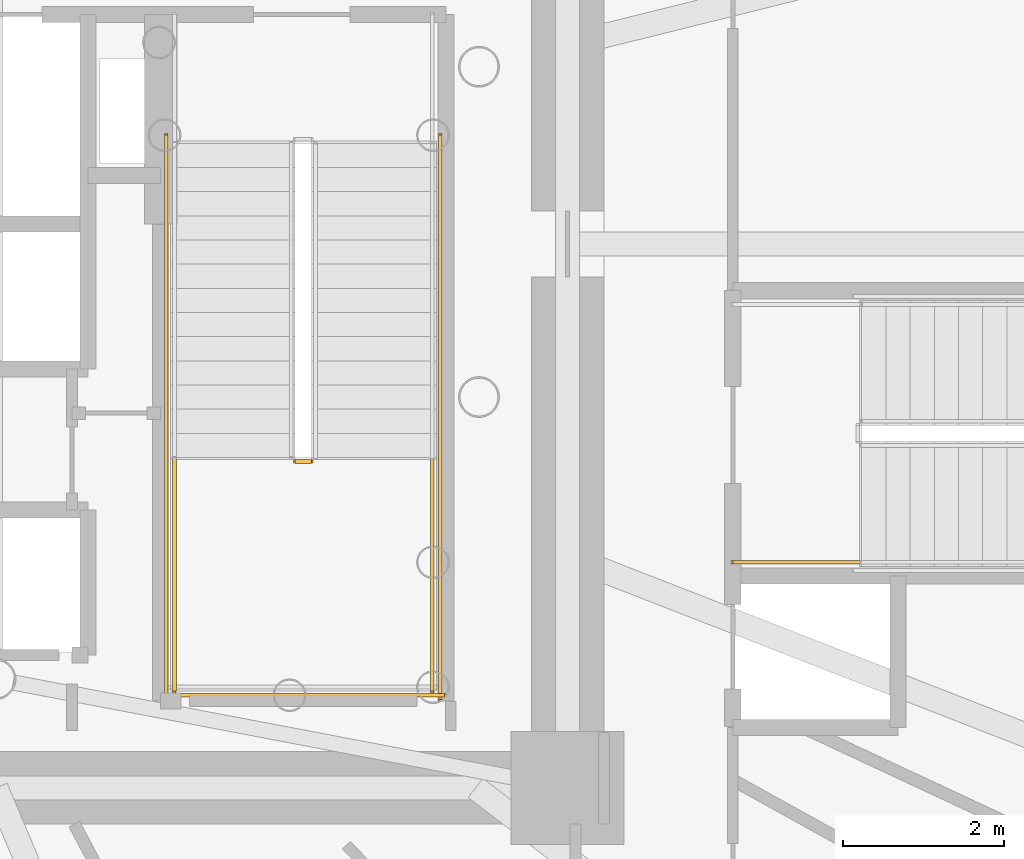
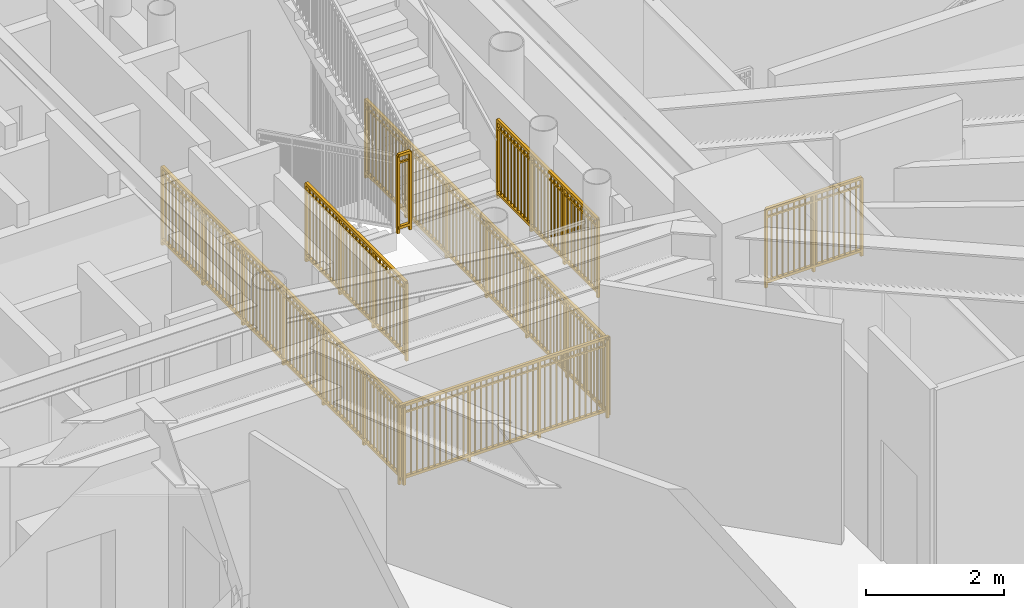
# One storey, part 23 of 27: 7 railings.
"""IFC4 building model written with IfcOpenShell, lengths in metres."""

from ifc_helpers import new_model, si_unit, direction, frame, origin, origin_2d, place, context, subcontext, project, spatial, rectangle, extrude, source, transform, mapped, material, type_object, element, save


model = new_model("IFC4")

# Units and contexts
model_context = context("Model", 3, precision=1e-05, world=origin(), true_north=direction((0.0, 1.0)))
body_context = subcontext(model_context, "Body", "Model", "MODEL_VIEW")
ifc_project = project(units=[si_unit("LENGTHUNIT", "METRE"), si_unit("AREAUNIT", "SQUARE_METRE"), si_unit("VOLUMEUNIT", "CUBIC_METRE"), si_unit("PLANEANGLEUNIT", "RADIAN"), si_unit("MASSUNIT", "GRAM", prefix="KILO")], contexts=[model_context])

# Site, building, storey
site_placement = place(None, origin())
site = spatial("IfcSite", under=ifc_project, at=site_placement, CompositionType="ELEMENT")
building_placement = place(site_placement, origin())
building = spatial("IfcBuilding", under=site, at=building_placement, Name="Linh Dai School and Residence Tower", CompositionType="ELEMENT")
storey_placement = place(building_placement, frame((0.0, 0.0, 14.39990234375)))
storey = spatial("IfcBuildingStorey", under=building, at=storey_placement, Name="L03", CompositionType="ELEMENT", Elevation=14.39990234375)

# Railings
ifc_material = material(Name="Structural Steel S355JR", Category="steel")
railing_type = type_object("IfcRailingType", Name="RL-ST-GUARD-1400", PredefinedType="GUARDRAIL", material=ifc_material)
shared_shape_1 = source(origin(), body_context, "Body", "SweptSolid", [
    extrude(rectangle(XDim=0.048095703125, YDim=0.048095703125, at=origin_2d()), frame((0.0, 0.0, 1.3759765625), z_axis=(1.0, 0.0, 0.0), x_axis=(0.0, 1.0, 0.0)), (0.0, 0.0, 1.0), 0.199951171875),
    extrude(rectangle(XDim=0.048095703125, YDim=0.048095703125, at=origin_2d()), frame((0.0, 0.0, 0.10009765625), z_axis=(1.0, 0.0, 0.0), x_axis=(0.0, 1.0, 0.0)), (0.0, 0.0, 1.0), 0.199951171875),
    extrude(rectangle(XDim=0.030029296875, YDim=0.030029296875, at=origin_2d()), frame((0.0, 0.0, 1.239990234375), z_axis=(1.0, 0.0, 0.0), x_axis=(0.0, 1.0, 0.0)), (0.0, 0.0, 1.0), 0.199951171875),
    extrude(rectangle(XDim=0.0419921875, YDim=0.0419921875, at=origin_2d()), origin(), (0.0, 0.0, 1.0), 1.3759765625),
    extrude(rectangle(XDim=0.0419921875, YDim=0.0419921875, at=origin_2d()), frame((0.199951171875, 0.0, 0.0)), (0.0, 0.0, 1.0), 1.3759765625),
])
railing_1_placement = place(storey_placement, frame((42.570068359375, 24.300048828125, 2.10009765625)))
element("IfcRailing", 1, at=railing_1_placement, inside=storey, type_object=railing_type, Name="L03 ST2 stair guard 2", PredefinedType="GUARDRAIL", context=body_context, shape_type="MappedRepresentation", body=[
    mapped(shared_shape_1, transform((0.0, 0.0, 0.0), x_axis=(1.0, 0.0, 0.0), y_axis=(0.0, 1.0, 0.0), z_axis=(0.0, 0.0, 1.0), scale=1.0)),
])
shared_shape_2 = source(origin(), body_context, "Body", "SweptSolid", [
    extrude(rectangle(XDim=0.048095703125, YDim=0.048095703125, at=origin_2d()), frame((0.0, 0.0, 1.3759765625), z_axis=(0.0, -1.0, 0.0), x_axis=(1.0, 0.0, 0.0)), (0.0, 0.0, 1.0), 7.0),
    extrude(rectangle(XDim=0.048095703125, YDim=0.048095703125, at=origin_2d()), frame((0.0, 0.0, 0.10009765625), z_axis=(0.0, -1.0, 0.0), x_axis=(1.0, 0.0, 0.0)), (0.0, 0.0, 1.0), 7.0),
    extrude(rectangle(XDim=0.030029296875, YDim=0.030029296875, at=origin_2d()), frame((0.0, 0.0, 1.239990234375), z_axis=(0.0, -1.0, 0.0), x_axis=(1.0, 0.0, 0.0)), (0.0, 0.0, 1.0), 7.0),
    extrude(rectangle(XDim=0.02001953125, YDim=0.02001953125, at=origin_2d()), frame((0.0, -0.09716796875, 0.10009765625)), (0.0, 0.0, 1.0), 1.251708984375),
    extrude(rectangle(XDim=0.02001953125, YDim=0.02001953125, at=origin_2d()), frame((0.0, -0.1943359375, 0.10009765625)), (0.0, 0.0, 1.0), 1.251708984375),
    extrude(rectangle(XDim=0.02001953125, YDim=0.02001953125, at=origin_2d()), frame((0.0, -0.291748046875, 0.10009765625)), (0.0, 0.0, 1.0), 1.251708984375),
    extrude(rectangle(XDim=0.02001953125, YDim=0.02001953125, at=origin_2d()), frame((0.0, -0.388916015625, 0.10009765625)), (0.0, 0.0, 1.0), 1.251708984375),
    extrude(rectangle(XDim=0.02001953125, YDim=0.02001953125, at=origin_2d()), frame((0.0, -0.486083984375, 0.10009765625)), (0.0, 0.0, 1.0), 1.251708984375),
    extrude(rectangle(XDim=0.02001953125, YDim=0.02001953125, at=origin_2d()), frame((0.0, -0.583251953125, 0.10009765625)), (0.0, 0.0, 1.0), 1.251708984375),
    extrude(rectangle(XDim=0.02001953125, YDim=0.02001953125, at=origin_2d()), frame((0.0, -0.6806640625, 0.10009765625)), (0.0, 0.0, 1.0), 1.251708984375),
    extrude(rectangle(XDim=0.02001953125, YDim=0.02001953125, at=origin_2d()), frame((0.0, -0.77783203125, 0.10009765625)), (0.0, 0.0, 1.0), 1.251708984375),
    extrude(rectangle(XDim=0.02001953125, YDim=0.02001953125, at=origin_2d()), frame((0.0, -0.875, 0.10009765625)), (0.0, 0.0, 1.0), 1.251708984375),
    extrude(rectangle(XDim=0.02001953125, YDim=0.02001953125, at=origin_2d()), frame((0.0, -0.97216796875, 0.10009765625)), (0.0, 0.0, 1.0), 1.251708984375),
    extrude(rectangle(XDim=0.02001953125, YDim=0.02001953125, at=origin_2d()), frame((0.0, -1.0693359375, 0.10009765625)), (0.0, 0.0, 1.0), 1.251708984375),
    extrude(rectangle(XDim=0.02001953125, YDim=0.02001953125, at=origin_2d()), frame((0.0, -1.263916015625, 0.10009765625)), (0.0, 0.0, 1.0), 1.251708984375),
    extrude(rectangle(XDim=0.02001953125, YDim=0.02001953125, at=origin_2d()), frame((0.0, -1.361083984375, 0.10009765625)), (0.0, 0.0, 1.0), 1.251708984375),
    extrude(rectangle(XDim=0.02001953125, YDim=0.02001953125, at=origin_2d()), frame((0.0, -1.458251953125, 0.10009765625)), (0.0, 0.0, 1.0), 1.251708984375),
    extrude(rectangle(XDim=0.02001953125, YDim=0.02001953125, at=origin_2d()), frame((0.0, -1.5556640625, 0.10009765625)), (0.0, 0.0, 1.0), 1.251708984375),
    extrude(rectangle(XDim=0.02001953125, YDim=0.02001953125, at=origin_2d()), frame((0.0, -1.65283203125, 0.10009765625)), (0.0, 0.0, 1.0), 1.251708984375),
    extrude(rectangle(XDim=0.02001953125, YDim=0.02001953125, at=origin_2d()), frame((0.0, -1.75, 0.10009765625)), (0.0, 0.0, 1.0), 1.251708984375),
    extrude(rectangle(XDim=0.02001953125, YDim=0.02001953125, at=origin_2d()), frame((0.0, -1.84716796875, 0.10009765625)), (0.0, 0.0, 1.0), 1.251708984375),
    extrude(rectangle(XDim=0.02001953125, YDim=0.02001953125, at=origin_2d()), frame((0.0, -1.9443359375, 0.10009765625)), (0.0, 0.0, 1.0), 1.251708984375),
    extrude(rectangle(XDim=0.02001953125, YDim=0.02001953125, at=origin_2d()), frame((0.0, -2.041748046875, 0.10009765625)), (0.0, 0.0, 1.0), 1.251708984375),
    extrude(rectangle(XDim=0.02001953125, YDim=0.02001953125, at=origin_2d()), frame((0.0, -2.138916015625, 0.10009765625)), (0.0, 0.0, 1.0), 1.251708984375),
    extrude(rectangle(XDim=0.02001953125, YDim=0.02001953125, at=origin_2d()), frame((0.0, -2.236083984375, 0.10009765625)), (0.0, 0.0, 1.0), 1.251708984375),
    extrude(rectangle(XDim=0.02001953125, YDim=0.02001953125, at=origin_2d()), frame((0.0, -2.4306640625, 0.10009765625)), (0.0, 0.0, 1.0), 1.251708984375),
    extrude(rectangle(XDim=0.02001953125, YDim=0.02001953125, at=origin_2d()), frame((0.0, -2.52783203125, 0.10009765625)), (0.0, 0.0, 1.0), 1.251708984375),
    extrude(rectangle(XDim=0.02001953125, YDim=0.02001953125, at=origin_2d()), frame((0.0, -2.625, 0.10009765625)), (0.0, 0.0, 1.0), 1.251708984375),
    extrude(rectangle(XDim=0.02001953125, YDim=0.02001953125, at=origin_2d()), frame((0.0, -2.72216796875, 0.10009765625)), (0.0, 0.0, 1.0), 1.251708984375),
    extrude(rectangle(XDim=0.02001953125, YDim=0.02001953125, at=origin_2d()), frame((0.0, -2.8193359375, 0.10009765625)), (0.0, 0.0, 1.0), 1.251708984375),
    extrude(rectangle(XDim=0.02001953125, YDim=0.02001953125, at=origin_2d()), frame((0.0, -2.916748046875, 0.10009765625)), (0.0, 0.0, 1.0), 1.251708984375),
    extrude(rectangle(XDim=0.02001953125, YDim=0.02001953125, at=origin_2d()), frame((0.0, -3.013916015625, 0.10009765625)), (0.0, 0.0, 1.0), 1.251708984375),
    extrude(rectangle(XDim=0.02001953125, YDim=0.02001953125, at=origin_2d()), frame((0.0, -3.111083984375, 0.10009765625)), (0.0, 0.0, 1.0), 1.251708984375),
    extrude(rectangle(XDim=0.02001953125, YDim=0.02001953125, at=origin_2d()), frame((0.0, -3.208251953125, 0.10009765625)), (0.0, 0.0, 1.0), 1.251708984375),
    extrude(rectangle(XDim=0.02001953125, YDim=0.02001953125, at=origin_2d()), frame((0.0, -3.3056640625, 0.10009765625)), (0.0, 0.0, 1.0), 1.251708984375),
    extrude(rectangle(XDim=0.02001953125, YDim=0.02001953125, at=origin_2d()), frame((0.0, -3.40283203125, 0.10009765625)), (0.0, 0.0, 1.0), 1.251708984375),
    extrude(rectangle(XDim=0.02001953125, YDim=0.02001953125, at=origin_2d()), frame((0.0, -3.59716796875, 0.10009765625)), (0.0, 0.0, 1.0), 1.251708984375),
    extrude(rectangle(XDim=0.02001953125, YDim=0.02001953125, at=origin_2d()), frame((0.0, -3.6943359375, 0.10009765625)), (0.0, 0.0, 1.0), 1.251708984375),
    extrude(rectangle(XDim=0.02001953125, YDim=0.02001953125, at=origin_2d()), frame((0.0, -3.791748046875, 0.10009765625)), (0.0, 0.0, 1.0), 1.251708984375),
    extrude(rectangle(XDim=0.02001953125, YDim=0.02001953125, at=origin_2d()), frame((0.0, -3.888916015625, 0.10009765625)), (0.0, 0.0, 1.0), 1.251708984375),
    extrude(rectangle(XDim=0.02001953125, YDim=0.02001953125, at=origin_2d()), frame((0.0, -3.986083984375, 0.10009765625)), (0.0, 0.0, 1.0), 1.251708984375),
    extrude(rectangle(XDim=0.02001953125, YDim=0.02001953125, at=origin_2d()), frame((0.0, -4.083251953125, 0.10009765625)), (0.0, 0.0, 1.0), 1.251708984375),
    extrude(rectangle(XDim=0.02001953125, YDim=0.02001953125, at=origin_2d()), frame((0.0, -4.1806640625, 0.10009765625)), (0.0, 0.0, 1.0), 1.251708984375),
    extrude(rectangle(XDim=0.02001953125, YDim=0.02001953125, at=origin_2d()), frame((0.0, -4.27783203125, 0.10009765625)), (0.0, 0.0, 1.0), 1.251708984375),
    extrude(rectangle(XDim=0.02001953125, YDim=0.02001953125, at=origin_2d()), frame((0.0, -4.375, 0.10009765625)), (0.0, 0.0, 1.0), 1.251708984375),
    extrude(rectangle(XDim=0.02001953125, YDim=0.02001953125, at=origin_2d()), frame((0.0, -4.47216796875, 0.10009765625)), (0.0, 0.0, 1.0), 1.251708984375),
    extrude(rectangle(XDim=0.02001953125, YDim=0.02001953125, at=origin_2d()), frame((0.0, -4.5693359375, 0.10009765625)), (0.0, 0.0, 1.0), 1.251708984375),
    extrude(rectangle(XDim=0.02001953125, YDim=0.02001953125, at=origin_2d()), frame((0.0, -4.763916015625, 0.10009765625)), (0.0, 0.0, 1.0), 1.251708984375),
    extrude(rectangle(XDim=0.02001953125, YDim=0.02001953125, at=origin_2d()), frame((0.0, -4.861083984375, 0.10009765625)), (0.0, 0.0, 1.0), 1.251708984375),
    extrude(rectangle(XDim=0.02001953125, YDim=0.02001953125, at=origin_2d()), frame((0.0, -4.958251953125, 0.10009765625)), (0.0, 0.0, 1.0), 1.251708984375),
    extrude(rectangle(XDim=0.02001953125, YDim=0.02001953125, at=origin_2d()), frame((0.0, -5.0556640625, 0.10009765625)), (0.0, 0.0, 1.0), 1.251708984375),
    extrude(rectangle(XDim=0.02001953125, YDim=0.02001953125, at=origin_2d()), frame((0.0, -5.15283203125, 0.10009765625)), (0.0, 0.0, 1.0), 1.251708984375),
    extrude(rectangle(XDim=0.02001953125, YDim=0.02001953125, at=origin_2d()), frame((0.0, -5.25, 0.10009765625)), (0.0, 0.0, 1.0), 1.251708984375),
    extrude(rectangle(XDim=0.02001953125, YDim=0.02001953125, at=origin_2d()), frame((0.0, -5.34716796875, 0.10009765625)), (0.0, 0.0, 1.0), 1.251708984375),
    extrude(rectangle(XDim=0.02001953125, YDim=0.02001953125, at=origin_2d()), frame((0.0, -5.4443359375, 0.10009765625)), (0.0, 0.0, 1.0), 1.251708984375),
    extrude(rectangle(XDim=0.02001953125, YDim=0.02001953125, at=origin_2d()), frame((0.0, -5.541748046875, 0.10009765625)), (0.0, 0.0, 1.0), 1.251708984375),
    extrude(rectangle(XDim=0.02001953125, YDim=0.02001953125, at=origin_2d()), frame((0.0, -5.638916015625, 0.10009765625)), (0.0, 0.0, 1.0), 1.251708984375),
    extrude(rectangle(XDim=0.02001953125, YDim=0.02001953125, at=origin_2d()), frame((0.0, -5.736083984375, 0.10009765625)), (0.0, 0.0, 1.0), 1.251708984375),
    extrude(rectangle(XDim=0.02001953125, YDim=0.02001953125, at=origin_2d()), frame((0.0, -5.9306640625, 0.10009765625)), (0.0, 0.0, 1.0), 1.251708984375),
    extrude(rectangle(XDim=0.02001953125, YDim=0.02001953125, at=origin_2d()), frame((0.0, -6.02783203125, 0.10009765625)), (0.0, 0.0, 1.0), 1.251708984375),
    extrude(rectangle(XDim=0.02001953125, YDim=0.02001953125, at=origin_2d()), frame((0.0, -6.125, 0.10009765625)), (0.0, 0.0, 1.0), 1.251708984375),
    extrude(rectangle(XDim=0.02001953125, YDim=0.02001953125, at=origin_2d()), frame((0.0, -6.22216796875, 0.10009765625)), (0.0, 0.0, 1.0), 1.251708984375),
    extrude(rectangle(XDim=0.02001953125, YDim=0.02001953125, at=origin_2d()), frame((0.0, -6.3193359375, 0.10009765625)), (0.0, 0.0, 1.0), 1.251708984375),
    extrude(rectangle(XDim=0.02001953125, YDim=0.02001953125, at=origin_2d()), frame((0.0, -6.416748046875, 0.10009765625)), (0.0, 0.0, 1.0), 1.251708984375),
    extrude(rectangle(XDim=0.02001953125, YDim=0.02001953125, at=origin_2d()), frame((0.0, -6.513916015625, 0.10009765625)), (0.0, 0.0, 1.0), 1.251708984375),
    extrude(rectangle(XDim=0.02001953125, YDim=0.02001953125, at=origin_2d()), frame((0.0, -6.611083984375, 0.10009765625)), (0.0, 0.0, 1.0), 1.251708984375),
    extrude(rectangle(XDim=0.02001953125, YDim=0.02001953125, at=origin_2d()), frame((0.0, -6.708251953125, 0.10009765625)), (0.0, 0.0, 1.0), 1.251708984375),
    extrude(rectangle(XDim=0.02001953125, YDim=0.02001953125, at=origin_2d()), frame((0.0, -6.8056640625, 0.10009765625)), (0.0, 0.0, 1.0), 1.251708984375),
    extrude(rectangle(XDim=0.02001953125, YDim=0.02001953125, at=origin_2d()), frame((0.0, -6.90283203125, 0.10009765625)), (0.0, 0.0, 1.0), 1.251708984375),
    extrude(rectangle(XDim=0.0419921875, YDim=0.0419921875, at=origin_2d()), origin(), (0.0, 0.0, 1.0), 1.3759765625),
    extrude(rectangle(XDim=0.0419921875, YDim=0.0419921875, at=origin_2d()), frame((0.0, -1.166748046875, 0.0)), (0.0, 0.0, 1.0), 1.3759765625),
    extrude(rectangle(XDim=0.0419921875, YDim=0.0419921875, at=origin_2d()), frame((0.0, -2.333251953125, 0.0)), (0.0, 0.0, 1.0), 1.3759765625),
    extrude(rectangle(XDim=0.0419921875, YDim=0.0419921875, at=origin_2d()), frame((0.0, -3.5, 0.0)), (0.0, 0.0, 1.0), 1.3759765625),
    extrude(rectangle(XDim=0.0419921875, YDim=0.0419921875, at=origin_2d()), frame((0.0, -4.666748046875, 0.0)), (0.0, 0.0, 1.0), 1.3759765625),
    extrude(rectangle(XDim=0.0419921875, YDim=0.0419921875, at=origin_2d()), frame((0.0, -5.833251953125, 0.0)), (0.0, 0.0, 1.0), 1.3759765625),
    extrude(rectangle(XDim=0.0419921875, YDim=0.0419921875, at=origin_2d()), frame((0.0, -7.0, 0.0)), (0.0, 0.0, 1.0), 1.3759765625),
])
for number, where, name in (
    (2, (40.969970703125, 28.35009765625, 0.0), "L03 ST2 stair guard 10"),
    (3, (44.3701171875, 28.35009765625, 0.0), "L03 ST2 stair guard 11"),
):
    element("IfcRailing", number, at=place(storey_placement, frame(where)), inside=storey, type_object=railing_type, Name=name, PredefinedType="GUARDRAIL", context=body_context, shape_type="MappedRepresentation", body=[
        mapped(shared_shape_2, transform((0.0, 0.0, 0.0), x_axis=(1.0, 0.0, 0.0), y_axis=(0.0, 1.0, 0.0), z_axis=(0.0, 0.0, 1.0), scale=1.0)),
    ])
shared_shape_3 = source(origin(), body_context, "Body", "SweptSolid", [
    extrude(rectangle(XDim=0.048095703125, YDim=0.048095703125, at=origin_2d()), frame((0.0, 0.0, 1.3759765625), z_axis=(1.0, 0.0, 0.0), x_axis=(0.0, 1.0, 0.0)), (0.0, 0.0, 1.0), 3.5),
    extrude(rectangle(XDim=0.048095703125, YDim=0.048095703125, at=origin_2d()), frame((0.0, 0.0, 0.10009765625), z_axis=(1.0, 0.0, 0.0), x_axis=(0.0, 1.0, 0.0)), (0.0, 0.0, 1.0), 3.5),
    extrude(rectangle(XDim=0.030029296875, YDim=0.030029296875, at=origin_2d()), frame((0.0, 0.0, 1.239990234375), z_axis=(1.0, 0.0, 0.0), x_axis=(0.0, 1.0, 0.0)), (0.0, 0.0, 1.0), 3.5),
    extrude(rectangle(XDim=0.02001953125, YDim=0.02001953125, at=origin_2d()), frame((0.09716796875, 0.0, 0.10009765625)), (0.0, 0.0, 1.0), 1.251708984375),
    extrude(rectangle(XDim=0.02001953125, YDim=0.02001953125, at=origin_2d()), frame((0.1943359375, 0.0, 0.10009765625)), (0.0, 0.0, 1.0), 1.251708984375),
    extrude(rectangle(XDim=0.02001953125, YDim=0.02001953125, at=origin_2d()), frame((0.291748046875, 0.0, 0.10009765625)), (0.0, 0.0, 1.0), 1.251708984375),
    extrude(rectangle(XDim=0.02001953125, YDim=0.02001953125, at=origin_2d()), frame((0.388916015625, 0.0, 0.10009765625)), (0.0, 0.0, 1.0), 1.251708984375),
    extrude(rectangle(XDim=0.02001953125, YDim=0.02001953125, at=origin_2d()), frame((0.486083984375, 0.0, 0.10009765625)), (0.0, 0.0, 1.0), 1.251708984375),
    extrude(rectangle(XDim=0.02001953125, YDim=0.02001953125, at=origin_2d()), frame((0.583251953125, 0.0, 0.10009765625)), (0.0, 0.0, 1.0), 1.251708984375),
    extrude(rectangle(XDim=0.02001953125, YDim=0.02001953125, at=origin_2d()), frame((0.6806640625, 0.0, 0.10009765625)), (0.0, 0.0, 1.0), 1.251708984375),
    extrude(rectangle(XDim=0.02001953125, YDim=0.02001953125, at=origin_2d()), frame((0.77783203125, 0.0, 0.10009765625)), (0.0, 0.0, 1.0), 1.251708984375),
    extrude(rectangle(XDim=0.02001953125, YDim=0.02001953125, at=origin_2d()), frame((0.875, 0.0, 0.10009765625)), (0.0, 0.0, 1.0), 1.251708984375),
    extrude(rectangle(XDim=0.02001953125, YDim=0.02001953125, at=origin_2d()), frame((0.97216796875, 0.0, 0.10009765625)), (0.0, 0.0, 1.0), 1.251708984375),
    extrude(rectangle(XDim=0.02001953125, YDim=0.02001953125, at=origin_2d()), frame((1.0693359375, 0.0, 0.10009765625)), (0.0, 0.0, 1.0), 1.251708984375),
    extrude(rectangle(XDim=0.02001953125, YDim=0.02001953125, at=origin_2d()), frame((1.263916015625, 0.0, 0.10009765625)), (0.0, 0.0, 1.0), 1.251708984375),
    extrude(rectangle(XDim=0.02001953125, YDim=0.02001953125, at=origin_2d()), frame((1.361083984375, 0.0, 0.10009765625)), (0.0, 0.0, 1.0), 1.251708984375),
    extrude(rectangle(XDim=0.02001953125, YDim=0.02001953125, at=origin_2d()), frame((1.458251953125, 0.0, 0.10009765625)), (0.0, 0.0, 1.0), 1.251708984375),
    extrude(rectangle(XDim=0.02001953125, YDim=0.02001953125, at=origin_2d()), frame((1.5556640625, 0.0, 0.10009765625)), (0.0, 0.0, 1.0), 1.251708984375),
    extrude(rectangle(XDim=0.02001953125, YDim=0.02001953125, at=origin_2d()), frame((1.65283203125, 0.0, 0.10009765625)), (0.0, 0.0, 1.0), 1.251708984375),
    extrude(rectangle(XDim=0.02001953125, YDim=0.02001953125, at=origin_2d()), frame((1.75, 0.0, 0.10009765625)), (0.0, 0.0, 1.0), 1.251708984375),
    extrude(rectangle(XDim=0.02001953125, YDim=0.02001953125, at=origin_2d()), frame((1.84716796875, 0.0, 0.10009765625)), (0.0, 0.0, 1.0), 1.251708984375),
    extrude(rectangle(XDim=0.02001953125, YDim=0.02001953125, at=origin_2d()), frame((1.9443359375, 0.0, 0.10009765625)), (0.0, 0.0, 1.0), 1.251708984375),
    extrude(rectangle(XDim=0.02001953125, YDim=0.02001953125, at=origin_2d()), frame((2.041748046875, 0.0, 0.10009765625)), (0.0, 0.0, 1.0), 1.251708984375),
    extrude(rectangle(XDim=0.02001953125, YDim=0.02001953125, at=origin_2d()), frame((2.138916015625, 0.0, 0.10009765625)), (0.0, 0.0, 1.0), 1.251708984375),
    extrude(rectangle(XDim=0.02001953125, YDim=0.02001953125, at=origin_2d()), frame((2.236083984375, 0.0, 0.10009765625)), (0.0, 0.0, 1.0), 1.251708984375),
    extrude(rectangle(XDim=0.02001953125, YDim=0.02001953125, at=origin_2d()), frame((2.4306640625, 0.0, 0.10009765625)), (0.0, 0.0, 1.0), 1.251708984375),
    extrude(rectangle(XDim=0.02001953125, YDim=0.02001953125, at=origin_2d()), frame((2.52783203125, 0.0, 0.10009765625)), (0.0, 0.0, 1.0), 1.251708984375),
    extrude(rectangle(XDim=0.02001953125, YDim=0.02001953125, at=origin_2d()), frame((2.625, 0.0, 0.10009765625)), (0.0, 0.0, 1.0), 1.251708984375),
    extrude(rectangle(XDim=0.02001953125, YDim=0.02001953125, at=origin_2d()), frame((2.72216796875, 0.0, 0.10009765625)), (0.0, 0.0, 1.0), 1.251708984375),
    extrude(rectangle(XDim=0.02001953125, YDim=0.02001953125, at=origin_2d()), frame((2.8193359375, 0.0, 0.10009765625)), (0.0, 0.0, 1.0), 1.251708984375),
    extrude(rectangle(XDim=0.02001953125, YDim=0.02001953125, at=origin_2d()), frame((2.916748046875, 0.0, 0.10009765625)), (0.0, 0.0, 1.0), 1.251708984375),
    extrude(rectangle(XDim=0.02001953125, YDim=0.02001953125, at=origin_2d()), frame((3.013916015625, 0.0, 0.10009765625)), (0.0, 0.0, 1.0), 1.251708984375),
    extrude(rectangle(XDim=0.02001953125, YDim=0.02001953125, at=origin_2d()), frame((3.111083984375, 0.0, 0.10009765625)), (0.0, 0.0, 1.0), 1.251708984375),
    extrude(rectangle(XDim=0.02001953125, YDim=0.02001953125, at=origin_2d()), frame((3.208251953125, 0.0, 0.10009765625)), (0.0, 0.0, 1.0), 1.251708984375),
    extrude(rectangle(XDim=0.02001953125, YDim=0.02001953125, at=origin_2d()), frame((3.3056640625, 0.0, 0.10009765625)), (0.0, 0.0, 1.0), 1.251708984375),
    extrude(rectangle(XDim=0.02001953125, YDim=0.02001953125, at=origin_2d()), frame((3.40283203125, 0.0, 0.10009765625)), (0.0, 0.0, 1.0), 1.251708984375),
    extrude(rectangle(XDim=0.0419921875, YDim=0.0419921875, at=origin_2d()), origin(), (0.0, 0.0, 1.0), 1.3759765625),
    extrude(rectangle(XDim=0.0419921875, YDim=0.0419921875, at=origin_2d()), frame((1.166748046875, 0.0, 0.0)), (0.0, 0.0, 1.0), 1.3759765625),
    extrude(rectangle(XDim=0.0419921875, YDim=0.0419921875, at=origin_2d()), frame((2.333251953125, 0.0, 0.0)), (0.0, 0.0, 1.0), 1.3759765625),
    extrude(rectangle(XDim=0.0419921875, YDim=0.0419921875, at=origin_2d()), frame((3.5, 0.0, 0.0)), (0.0, 0.0, 1.0), 1.3759765625),
])
railing_2_placement = place(storey_placement, frame((40.919921875, 21.39990234375, 0.0)))
element("IfcRailing", 4, at=railing_2_placement, inside=storey, type_object=railing_type, Name="L03 ST2 stair guard 12", PredefinedType="GUARDRAIL", context=body_context, shape_type="MappedRepresentation", body=[
    mapped(shared_shape_3, transform((0.0, 0.0, 0.0), x_axis=(1.0, 0.0, 0.0), y_axis=(0.0, 1.0, 0.0), z_axis=(0.0, 0.0, 1.0), scale=1.0)),
])
shared_shape_4 = source(origin(), body_context, "Body", "SweptSolid", [
    extrude(rectangle(XDim=0.048095703125, YDim=0.048095703125, at=origin_2d()), frame((0.0, 0.0, 1.3759765625), z_axis=(0.0, -1.0, 0.0), x_axis=(1.0, 0.0, 0.0)), (0.0, 0.0, 1.0), 2.900146484375),
    extrude(rectangle(XDim=0.048095703125, YDim=0.048095703125, at=origin_2d()), frame((0.0, 0.0, 0.10009765625), z_axis=(0.0, -1.0, 0.0), x_axis=(1.0, 0.0, 0.0)), (0.0, 0.0, 1.0), 2.900146484375),
    extrude(rectangle(XDim=0.030029296875, YDim=0.030029296875, at=origin_2d()), frame((0.0, 0.0, 1.239990234375), z_axis=(0.0, -1.0, 0.0), x_axis=(1.0, 0.0, 0.0)), (0.0, 0.0, 1.0), 2.900146484375),
    extrude(rectangle(XDim=0.02001953125, YDim=0.02001953125, at=origin_2d()), frame((0.0, -0.0966796875, 0.10009765625)), (0.0, 0.0, 1.0), 1.251708984375),
    extrude(rectangle(XDim=0.02001953125, YDim=0.02001953125, at=origin_2d()), frame((0.0, -0.193359375, 0.10009765625)), (0.0, 0.0, 1.0), 1.251708984375),
    extrude(rectangle(XDim=0.02001953125, YDim=0.02001953125, at=origin_2d()), frame((0.0, -0.2900390625, 0.10009765625)), (0.0, 0.0, 1.0), 1.251708984375),
    extrude(rectangle(XDim=0.02001953125, YDim=0.02001953125, at=origin_2d()), frame((0.0, -0.38671875, 0.10009765625)), (0.0, 0.0, 1.0), 1.251708984375),
    extrude(rectangle(XDim=0.02001953125, YDim=0.02001953125, at=origin_2d()), frame((0.0, -0.4833984375, 0.10009765625)), (0.0, 0.0, 1.0), 1.251708984375),
    extrude(rectangle(XDim=0.02001953125, YDim=0.02001953125, at=origin_2d()), frame((0.0, -0.580078125, 0.10009765625)), (0.0, 0.0, 1.0), 1.251708984375),
    extrude(rectangle(XDim=0.02001953125, YDim=0.02001953125, at=origin_2d()), frame((0.0, -0.6767578125, 0.10009765625)), (0.0, 0.0, 1.0), 1.251708984375),
    extrude(rectangle(XDim=0.02001953125, YDim=0.02001953125, at=origin_2d()), frame((0.0, -0.7734375, 0.10009765625)), (0.0, 0.0, 1.0), 1.251708984375),
    extrude(rectangle(XDim=0.02001953125, YDim=0.02001953125, at=origin_2d()), frame((0.0, -0.8701171875, 0.10009765625)), (0.0, 0.0, 1.0), 1.251708984375),
    extrude(rectangle(XDim=0.02001953125, YDim=0.02001953125, at=origin_2d()), frame((0.0, -1.0634765625, 0.10009765625)), (0.0, 0.0, 1.0), 1.251708984375),
    extrude(rectangle(XDim=0.02001953125, YDim=0.02001953125, at=origin_2d()), frame((0.0, -1.16015625, 0.10009765625)), (0.0, 0.0, 1.0), 1.251708984375),
    extrude(rectangle(XDim=0.02001953125, YDim=0.02001953125, at=origin_2d()), frame((0.0, -1.2568359375, 0.10009765625)), (0.0, 0.0, 1.0), 1.251708984375),
    extrude(rectangle(XDim=0.02001953125, YDim=0.02001953125, at=origin_2d()), frame((0.0, -1.353515625, 0.10009765625)), (0.0, 0.0, 1.0), 1.251708984375),
    extrude(rectangle(XDim=0.02001953125, YDim=0.02001953125, at=origin_2d()), frame((0.0, -1.4501953125, 0.10009765625)), (0.0, 0.0, 1.0), 1.251708984375),
    extrude(rectangle(XDim=0.02001953125, YDim=0.02001953125, at=origin_2d()), frame((0.0, -1.546630859375, 0.10009765625)), (0.0, 0.0, 1.0), 1.251708984375),
    extrude(rectangle(XDim=0.02001953125, YDim=0.02001953125, at=origin_2d()), frame((0.0, -1.643310546875, 0.10009765625)), (0.0, 0.0, 1.0), 1.251708984375),
    extrude(rectangle(XDim=0.02001953125, YDim=0.02001953125, at=origin_2d()), frame((0.0, -1.739990234375, 0.10009765625)), (0.0, 0.0, 1.0), 1.251708984375),
    extrude(rectangle(XDim=0.02001953125, YDim=0.02001953125, at=origin_2d()), frame((0.0, -1.836669921875, 0.10009765625)), (0.0, 0.0, 1.0), 1.251708984375),
    extrude(rectangle(XDim=0.02001953125, YDim=0.02001953125, at=origin_2d()), frame((0.0, -2.030029296875, 0.10009765625)), (0.0, 0.0, 1.0), 1.251708984375),
    extrude(rectangle(XDim=0.02001953125, YDim=0.02001953125, at=origin_2d()), frame((0.0, -2.126708984375, 0.10009765625)), (0.0, 0.0, 1.0), 1.251708984375),
    extrude(rectangle(XDim=0.02001953125, YDim=0.02001953125, at=origin_2d()), frame((0.0, -2.223388671875, 0.10009765625)), (0.0, 0.0, 1.0), 1.251708984375),
    extrude(rectangle(XDim=0.02001953125, YDim=0.02001953125, at=origin_2d()), frame((0.0, -2.320068359375, 0.10009765625)), (0.0, 0.0, 1.0), 1.251708984375),
    extrude(rectangle(XDim=0.02001953125, YDim=0.02001953125, at=origin_2d()), frame((0.0, -2.416748046875, 0.10009765625)), (0.0, 0.0, 1.0), 1.251708984375),
    extrude(rectangle(XDim=0.02001953125, YDim=0.02001953125, at=origin_2d()), frame((0.0, -2.513427734375, 0.10009765625)), (0.0, 0.0, 1.0), 1.251708984375),
    extrude(rectangle(XDim=0.02001953125, YDim=0.02001953125, at=origin_2d()), frame((0.0, -2.610107421875, 0.10009765625)), (0.0, 0.0, 1.0), 1.251708984375),
    extrude(rectangle(XDim=0.02001953125, YDim=0.02001953125, at=origin_2d()), frame((0.0, -2.706787109375, 0.10009765625)), (0.0, 0.0, 1.0), 1.251708984375),
    extrude(rectangle(XDim=0.02001953125, YDim=0.02001953125, at=origin_2d()), frame((0.0, -2.803466796875, 0.10009765625)), (0.0, 0.0, 1.0), 1.251708984375),
    extrude(rectangle(XDim=0.0419921875, YDim=0.0419921875, at=origin_2d()), origin(), (0.0, 0.0, 1.0), 1.3759765625),
    extrude(rectangle(XDim=0.0419921875, YDim=0.0419921875, at=origin_2d()), frame((0.0, -0.966796875, 0.0)), (0.0, 0.0, 1.0), 1.3759765625),
    extrude(rectangle(XDim=0.0419921875, YDim=0.0419921875, at=origin_2d()), frame((0.0, -1.933349609375, 0.0)), (0.0, 0.0, 1.0), 1.3759765625),
    extrude(rectangle(XDim=0.0419921875, YDim=0.0419921875, at=origin_2d()), frame((0.0, -2.900146484375, 0.0)), (0.0, 0.0, 1.0), 1.3759765625),
])
for number, where, name in (
    (5, (41.070068359375, 24.35009765625, 2.10009765625), "L03 ST2 stair guard 3"),
    (6, (44.27001953125, 24.35009765625, 2.10009765625), "L03 ST2 stair guard 4"),
):
    element("IfcRailing", number, at=place(storey_placement, frame(where)), inside=storey, type_object=railing_type, Name=name, PredefinedType="GUARDRAIL", context=body_context, shape_type="MappedRepresentation", body=[
        mapped(shared_shape_4, transform((0.0, 0.0, 0.0), x_axis=(1.0, 0.0, 0.0), y_axis=(0.0, 1.0, 0.0), z_axis=(0.0, 0.0, 1.0), scale=1.0)),
    ])
shared_shape_5 = source(origin(), body_context, "Body", "SweptSolid", [
    extrude(rectangle(XDim=0.048095703125, YDim=0.048095703125, at=origin_2d()), frame((0.0, 0.0, 1.3759765625), z_axis=(1.0, 0.0, 0.0), x_axis=(0.0, 1.0, 0.0)), (0.0, 0.0, 1.0), 1.60009765625),
    extrude(rectangle(XDim=0.048095703125, YDim=0.048095703125, at=origin_2d()), frame((0.0, 0.0, 0.10009765625), z_axis=(1.0, 0.0, 0.0), x_axis=(0.0, 1.0, 0.0)), (0.0, 0.0, 1.0), 1.60009765625),
    extrude(rectangle(XDim=0.030029296875, YDim=0.030029296875, at=origin_2d()), frame((0.0, 0.0, 1.239990234375), z_axis=(1.0, 0.0, 0.0), x_axis=(0.0, 1.0, 0.0)), (0.0, 0.0, 1.0), 1.60009765625),
    extrude(rectangle(XDim=0.02001953125, YDim=0.02001953125, at=origin_2d()), frame((0.09423828125, 0.0, 0.10009765625)), (0.0, 0.0, 1.0), 1.251708984375),
    extrude(rectangle(XDim=0.02001953125, YDim=0.02001953125, at=origin_2d()), frame((0.188232421875, 0.0, 0.10009765625)), (0.0, 0.0, 1.0), 1.251708984375),
    extrude(rectangle(XDim=0.02001953125, YDim=0.02001953125, at=origin_2d()), frame((0.282470703125, 0.0, 0.10009765625)), (0.0, 0.0, 1.0), 1.251708984375),
    extrude(rectangle(XDim=0.02001953125, YDim=0.02001953125, at=origin_2d()), frame((0.37646484375, 0.0, 0.10009765625)), (0.0, 0.0, 1.0), 1.251708984375),
    extrude(rectangle(XDim=0.02001953125, YDim=0.02001953125, at=origin_2d()), frame((0.470703125, 0.0, 0.10009765625)), (0.0, 0.0, 1.0), 1.251708984375),
    extrude(rectangle(XDim=0.02001953125, YDim=0.02001953125, at=origin_2d()), frame((0.564697265625, 0.0, 0.10009765625)), (0.0, 0.0, 1.0), 1.251708984375),
    extrude(rectangle(XDim=0.02001953125, YDim=0.02001953125, at=origin_2d()), frame((0.658935546875, 0.0, 0.10009765625)), (0.0, 0.0, 1.0), 1.251708984375),
    extrude(rectangle(XDim=0.02001953125, YDim=0.02001953125, at=origin_2d()), frame((0.7529296875, 0.0, 0.10009765625)), (0.0, 0.0, 1.0), 1.251708984375),
    extrude(rectangle(XDim=0.02001953125, YDim=0.02001953125, at=origin_2d()), frame((0.84716796875, 0.0, 0.10009765625)), (0.0, 0.0, 1.0), 1.251708984375),
    extrude(rectangle(XDim=0.02001953125, YDim=0.02001953125, at=origin_2d()), frame((0.941162109375, 0.0, 0.10009765625)), (0.0, 0.0, 1.0), 1.251708984375),
    extrude(rectangle(XDim=0.02001953125, YDim=0.02001953125, at=origin_2d()), frame((1.035400390625, 0.0, 0.10009765625)), (0.0, 0.0, 1.0), 1.251708984375),
    extrude(rectangle(XDim=0.02001953125, YDim=0.02001953125, at=origin_2d()), frame((1.12939453125, 0.0, 0.10009765625)), (0.0, 0.0, 1.0), 1.251708984375),
    extrude(rectangle(XDim=0.02001953125, YDim=0.02001953125, at=origin_2d()), frame((1.2236328125, 0.0, 0.10009765625)), (0.0, 0.0, 1.0), 1.251708984375),
    extrude(rectangle(XDim=0.02001953125, YDim=0.02001953125, at=origin_2d()), frame((1.317626953125, 0.0, 0.10009765625)), (0.0, 0.0, 1.0), 1.251708984375),
    extrude(rectangle(XDim=0.02001953125, YDim=0.02001953125, at=origin_2d()), frame((1.411865234375, 0.0, 0.10009765625)), (0.0, 0.0, 1.0), 1.251708984375),
    extrude(rectangle(XDim=0.02001953125, YDim=0.02001953125, at=origin_2d()), frame((1.505859375, 0.0, 0.10009765625)), (0.0, 0.0, 1.0), 1.251708984375),
    extrude(rectangle(XDim=0.0419921875, YDim=0.0419921875, at=origin_2d()), origin(), (0.0, 0.0, 1.0), 1.3759765625),
    extrude(rectangle(XDim=0.0419921875, YDim=0.0419921875, at=origin_2d()), frame((0.800048828125, 0.0, 0.0)), (0.0, 0.0, 1.0), 1.3759765625),
    extrude(rectangle(XDim=0.0419921875, YDim=0.0419921875, at=origin_2d()), frame((1.60009765625, 0.0, 0.0)), (0.0, 0.0, 1.0), 1.3759765625),
])
railing_3_placement = place(storey_placement, frame((48.0, 23.050048828125, 0.0)))
element("IfcRailing", 7, at=railing_3_placement, inside=storey, type_object=railing_type, Name="L03 STS2 stair guard 8", PredefinedType="GUARDRAIL", context=body_context, shape_type="MappedRepresentation", body=[
    mapped(shared_shape_5, transform((0.0, 0.0, 0.0), x_axis=(1.0, 0.0, 0.0), y_axis=(0.0, 1.0, 0.0), z_axis=(0.0, 0.0, 1.0), scale=1.0)),
])

save(model, "model.ifc")
